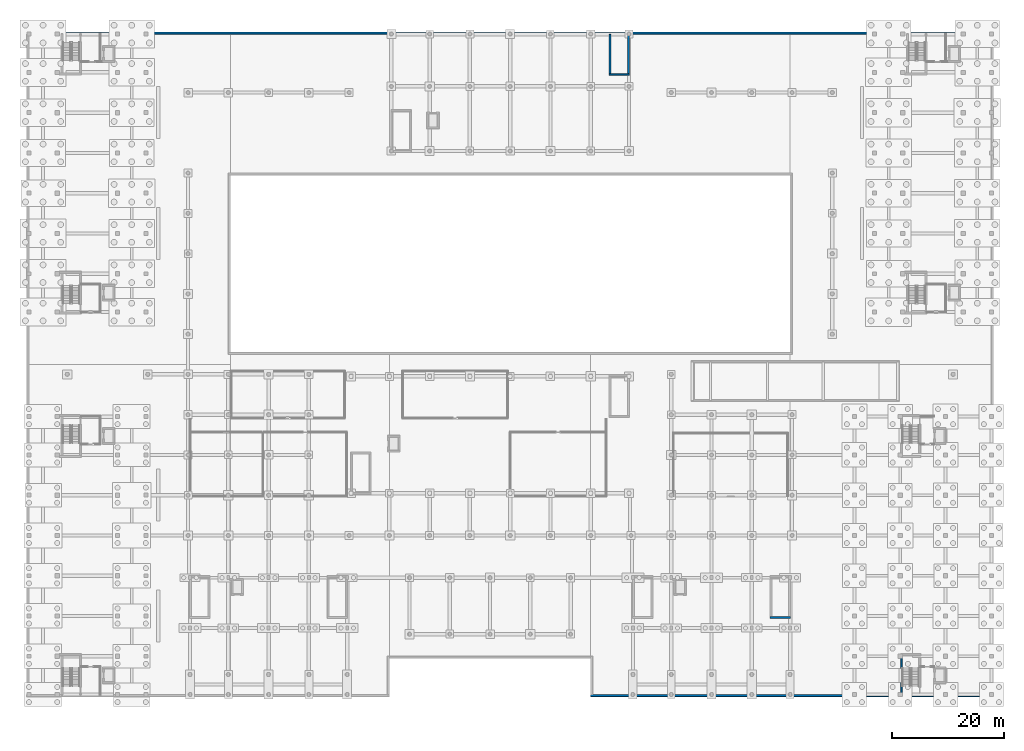
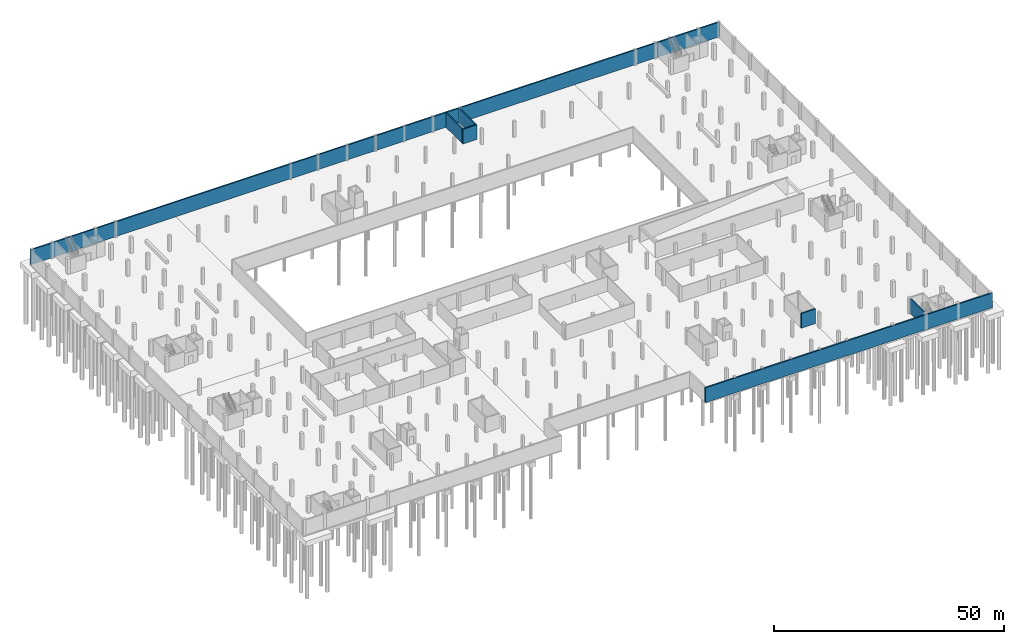
# One storey, part 25 of 36: 7 walls.
"""IFC4 building model written with IfcOpenShell, lengths in metres."""

from ifc_helpers import new_model, si_unit, derived_unit, direction, frame, frame_2d, origin, place, context, subcontext, project, spatial, rectangle, extrude, material, layer, layer_set, type_object, element, save


model = new_model("IFC4")

# Units and contexts
model_context = context("Model", 3, precision=1e-05, world=origin(), true_north=direction((0.0, 1.0)))
body_context = subcontext(model_context, "Body", "Model", "MODEL_VIEW")
ifc_project = project(units=[si_unit("LENGTHUNIT", "METRE"), si_unit("AREAUNIT", "SQUARE_METRE"), si_unit("VOLUMEUNIT", "CUBIC_METRE"), si_unit("PLANEANGLEUNIT", "RADIAN"), si_unit("MASSUNIT", "GRAM", prefix="KILO"), derived_unit("THERMALTRANSMITTANCEUNIT", [(si_unit("MASSUNIT", "GRAM", prefix="KILO"), 1), (si_unit("TIMEUNIT", "SECOND"), -3), (si_unit("THERMODYNAMICTEMPERATUREUNIT", "KELVIN"), -1)])], contexts=[model_context])

# Site, building, storey
site_placement = place(None, origin())
site = spatial("IfcSite", under=ifc_project, at=site_placement, CompositionType="ELEMENT")
building_placement = place(site_placement, origin())
building = spatial("IfcBuilding", under=site, at=building_placement, Name="Ochrekiln Boulevard Commons", CompositionType="ELEMENT")
storey_placement = place(building_placement, frame((0.0, 0.0, -4.199951171875)))
storey = spatial("IfcBuildingStorey", under=building, at=storey_placement, Name="B1", CompositionType="ELEMENT", Elevation=-4.199951171875)

# Walls
ifc_material_1 = material(Name="Concrete C35/45", Category="concrete")
ifc_layer_1 = layer(ifc_material_1, 0.35009765625)
ifc_layer_set_1 = layer_set([ifc_layer_1], Name="Concrete C35/45")
wall_type_1 = type_object("IfcWallType", Name="WL-B1-RET-350", PredefinedType="SOLIDWALL", material=ifc_layer_set_1)
wall_1_placement = place(storey_placement, frame((0.0, 118.625, 0.0), z_axis=(0.0, 0.0, 1.0), x_axis=(1.0, 0.0, 0.0)))
element("IfcWall", 1, at=wall_1_placement, inside=storey, type_object=wall_type_1, Name="B1 Perimeter Retaining Wall B1-N", PredefinedType="SOLIDWALL", context=body_context, shape_type="SweptSolid", body=[
    extrude(rectangle(XDim=172.800048828125, YDim=0.35009765625, at=frame_2d((86.39990234375, 0.0))), origin(), (0.0, 0.0, 1.0), 3.919921875),
])
wall_2_placement = place(storey_placement, frame((100.800048828125, 0.175048828125, 0.0), z_axis=(0.0, 0.0, 1.0), x_axis=(1.0, 0.0, 0.0)))
element("IfcWall", 2, at=wall_2_placement, inside=storey, type_object=wall_type_1, Name="B1 Perimeter Retaining Wall B1-SE", PredefinedType="SOLIDWALL", context=body_context, shape_type="SweptSolid", body=[
    extrude(rectangle(XDim=72.0, YDim=0.35009765625, at=frame_2d((36.0, 0.0))), origin(), (0.0, 0.0, 1.0), 3.919921875),
])
ifc_material_2 = material(Name="Concrete C40/50", Category="concrete")
ifc_layer_2 = layer(ifc_material_2, 0.300048828125)
ifc_layer_set_2 = layer_set([ifc_layer_2], Name="Concrete C40/50")
wall_type_2 = type_object("IfcWallType", Name="WL-SH-300", PredefinedType="SHEAR", material=ifc_layer_set_2)
wall_3_placement = place(storey_placement, frame((156.35009765625, 0.320068359375, 0.0), z_axis=(0.0, 0.0, 1.0), x_axis=(0.0, 1.0, 0.0)))
element("IfcWall", 3, at=wall_3_placement, inside=storey, type_object=wall_type_2, Name="Stair ST-C1 B1 Core Shear Wall W", PredefinedType="SHEAR", context=body_context, shape_type="SweptSolid", body=[
    extrude(rectangle(XDim=7.0, YDim=0.300048828125, at=frame_2d((3.5, 0.0))), origin(), (0.0, 0.0, 1.0), 3.919921875),
])
wall_4_placement = place(storey_placement, frame((104.10009765625, 111.25, 0.0), z_axis=(0.0, 0.0, 1.0), x_axis=(1.0, 0.0, 0.0)))
element("IfcWall", 4, at=wall_4_placement, inside=storey, type_object=wall_type_2, Name="Stair ST-N2 B1 Core Shear Wall S", PredefinedType="SHEAR", context=body_context, shape_type="SweptSolid", body=[
    extrude(rectangle(XDim=3.599853515625, YDim=0.300048828125, at=frame_2d((1.7998046875, 0.0))), origin(), (0.0, 0.0, 1.0), 3.919921875),
])
for number, where, z_axis, x_axis, name in (
    (5, (104.25, 111.39990234375, 0.0), (0.0, 0.0, 1.0), (0.0, 1.0, 0.0), "Stair ST-N2 B1 Core Shear Wall W"),
    (6, (107.550048828125, 111.39990234375, 0.0), (0.0, 0.0, 1.0), (0.0, 1.0, 0.0), "Stair ST-N2 B1 Core Shear Wall E"),
):
    element("IfcWall", number, at=place(storey_placement, frame(where, z_axis=z_axis, x_axis=x_axis)), inside=storey, type_object=wall_type_2, Name=name, PredefinedType="SHEAR", context=body_context, shape_type="SweptSolid", body=[
        extrude(rectangle(XDim=7.0, YDim=0.300048828125, at=frame_2d((3.5, 0.0))), origin(), (0.0, 0.0, 1.0), 3.919921875),
    ])
wall_5_placement = place(storey_placement, frame((132.89990234375, 14.1298828125, 0.0), z_axis=(0.0, 0.0, 1.0), x_axis=(1.0, 0.0, 0.0)))
element("IfcWall", 7, at=wall_5_placement, inside=storey, type_object=wall_type_2, Name="Stair ST-E2 B1 Core Shear Wall S", PredefinedType="SHEAR", context=body_context, shape_type="SweptSolid", body=[
    extrude(rectangle(XDim=3.60009765625, YDim=0.300048828125, at=frame_2d((1.800048828125, 0.0))), origin(), (0.0, 0.0, 1.0), 3.909912109375),
])

save(model, "model.ifc")
